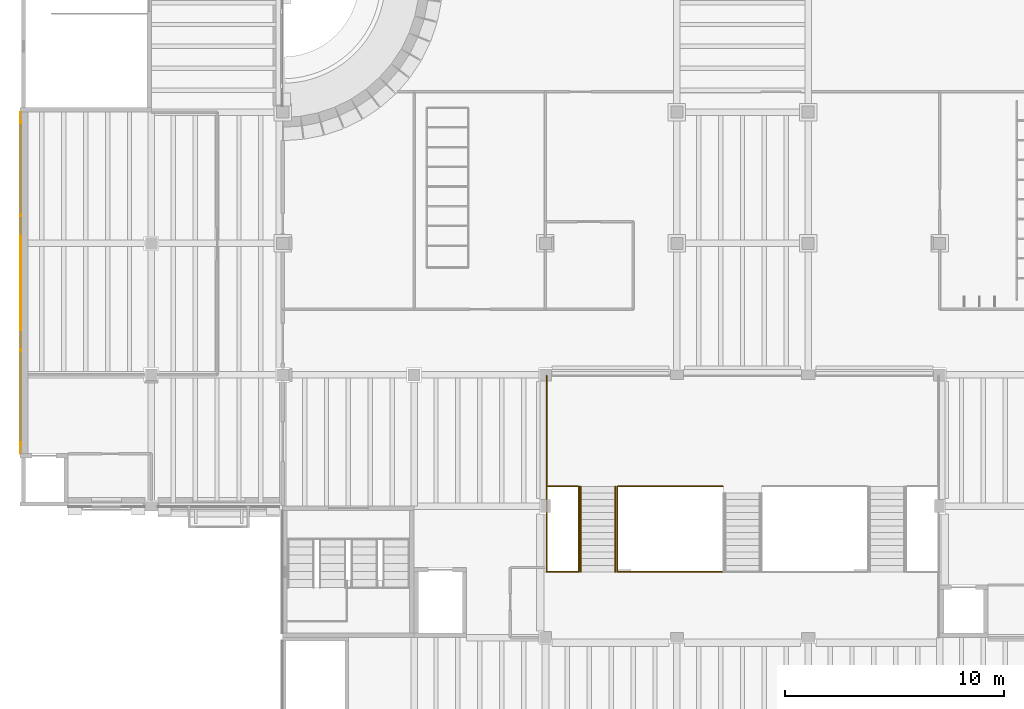
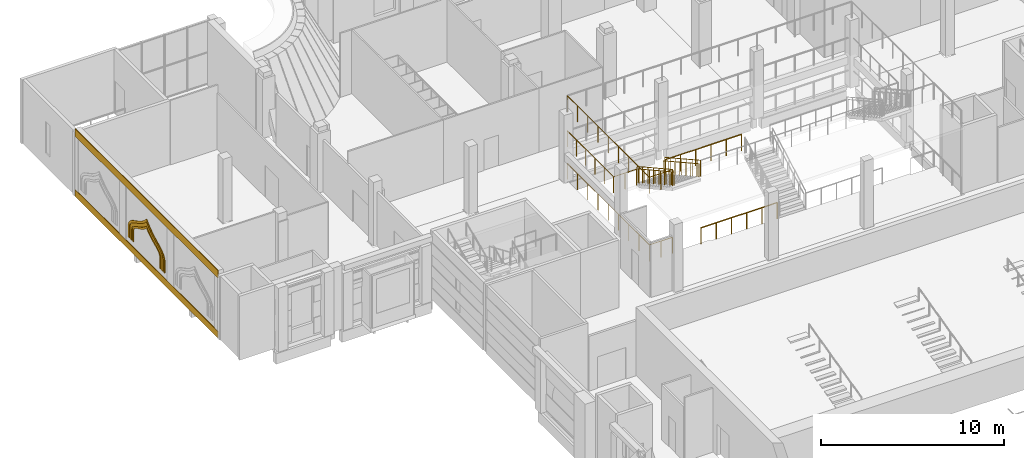
# One storey, part 65 of 70: 12 railings, 5 coverings.
"""IFC4 building model written with IfcOpenShell, lengths in metres."""

from ifc_helpers import new_model, si_unit, direction, frame, origin, origin_2d, place, context, subcontext, project, spatial, polyline, rectangle, circle, outline, extrude, material, layer, layer_set, type_object, element, save


model = new_model("IFC4")

# Units and contexts
model_context = context("Model", 3, precision=1e-05, world=origin(), true_north=direction((0.0, 1.0)))
body_context = subcontext(model_context, "Body", "Model", "MODEL_VIEW")
ifc_project = project(units=[si_unit("LENGTHUNIT", "METRE"), si_unit("AREAUNIT", "SQUARE_METRE"), si_unit("VOLUMEUNIT", "CUBIC_METRE"), si_unit("PLANEANGLEUNIT", "RADIAN"), si_unit("MASSUNIT", "GRAM", prefix="KILO")], contexts=[model_context])

# Site, building, storey
site_placement = place(None, origin())
site = spatial("IfcSite", under=ifc_project, at=site_placement, CompositionType="ELEMENT")
building_placement = place(site_placement, origin())
building = spatial("IfcBuilding", under=site, at=building_placement, Name="Saffron Lane Theatres", CompositionType="ELEMENT")
storey_placement = place(building_placement, frame((0.0, 0.0, 12.0)))
storey = spatial("IfcBuildingStorey", under=building, at=storey_placement, Name="L02", CompositionType="ELEMENT", Elevation=12.0)

# Coverings
ifc_material_1 = material(Name="Face brick cladding, pale buff", Category="masonry")
ifc_layer_1 = layer(ifc_material_1, 0.0400390625)
ifc_layer_set_1 = layer_set([ifc_layer_1], Name="Face brick cladding, pale buff")
covering_type_1 = type_object("IfcCoveringType", Name="EX-FACE BRICK SKIN PALE BUFF 40", PredefinedType="CLADDING", material=ifc_layer_set_1)
covering_1_placement = place(storey_placement, frame((0.0400390625, 112.199951171875, 0.0), z_axis=(0.0, 0.0, 1.0), x_axis=(0.0, 1.0, 0.0)))
element("IfcCovering", 1, at=covering_1_placement, inside=storey, type_object=covering_type_1, Name="Face brick cladding, pale buff L02", PredefinedType="CLADDING", context=body_context, shape_type="SweptSolid", body=[
    extrude(rectangle(XDim=15.60009765625, YDim=0.0400390625, at=origin_2d()), origin(), (0.0, 0.0, 1.0), 0.449951171875),
])
covering_2_placement = place(storey_placement, frame((0.0400390625, 112.199951171875, 4.0), z_axis=(0.0, 0.0, 1.0), x_axis=(0.0, 1.0, 0.0)))
element("IfcCovering", 2, at=covering_2_placement, inside=storey, type_object=covering_type_1, Name="Face brick cladding, pale buff L02", PredefinedType="CLADDING", context=body_context, shape_type="SweptSolid", body=[
    extrude(rectangle(XDim=15.60009765625, YDim=0.0400390625, at=origin_2d()), origin(), (0.0, 0.0, 1.0), 0.5),
])
ifc_material_2 = material(Name="Face brick cladding, pale buff", Category="masonry")
ifc_layer_2 = layer(ifc_material_2, 0.0400390625)
ifc_layer_set_2 = layer_set([ifc_layer_2], Name="Face brick cladding, pale buff")
covering_type_2 = type_object("IfcCoveringType", Name="EX-NICHE FRAME RING FACE BRICK PALE BUFF", PredefinedType="CLADDING", material=ifc_layer_set_2)
covering_3_placement = place(storey_placement, frame((0.06005859375, 110.669921875, 1.626953125), z_axis=(1.0, 0.0, 0.0), x_axis=(0.0, -0.100719773336, -0.994914834174)))
element("IfcCovering", 3, at=covering_3_placement, inside=storey, type_object=covering_type_2, Name="Court wall niche ring", PredefinedType="CLADDING", context=body_context, shape_type="SweptSolid", body=[
    extrude(outline(polyline([(0.0, 0.0), (0.09938232874686968, 0.0), (0.8237075327279083, 0.07332674904499405), (0.8116093568291366, 0.1928331207279823), (0.09335663108402224, 0.1201211163932917), (0.013845850128844059, 0.1201696962191791), (-0.05404835492987823, 0.13636297151497695), (-0.11644464315020871, 0.16611841474647399), (-0.17526461653391537, 0.21144998955971792), (-0.23366596376367882, 0.272038028705351), (-0.29237438347312555, 0.34535518173535484), (-0.35012620043824644, 0.43103859933291644), (-0.41019905352909836, 0.5275295288130809), (-0.47407192855603086, 0.6324697494920305), (-0.541840185918008, 0.7443772768047314), (-0.6169997738261116, 0.8614258691483797), (-0.6984807366089452, 0.9827422891588762), (-0.7913563674415887, 1.1051136710673468), (-0.8942646319463841, 1.227205569039231), (-1.0109443774638502, 1.347167151683312), (-1.0992247166181084, 1.4265699774698515), (-1.0285752557553527, 1.521325827489618), (-0.9383787123577587, 1.6629666072491514), (-0.8620520091264839, 1.80344866819863), (-0.795561221260064, 1.9417080521760257), (-0.7400716648288599, 2.0771360119804045), (-0.6898953019474879, 2.2068729351447156), (-0.6459053699800478, 2.329848865997563), (-0.6043846126197483, 2.445703953976817), (-0.5648688226414432, 2.552276696705958), (-0.5254363980433648, 2.6475531305389377), (-0.48263757143657104, 2.731391714254652), (-0.437539299737774, 2.802212104134419), (-0.3889978579103408, 2.8584123654258278), (-0.3338555572715909, 2.900312165378236), (-0.2705842324343504, 2.929783926416588), (-0.19269637751437335, 2.945766689133541), (0.525556348230741, 3.0184786934682313), (0.5134827621203815, 3.1377421660217824), (-0.2108424418606571, 3.064415416976788), (-0.30820840795773147, 3.044497688362957), (-0.3965601174734784, 3.0034075521753385), (-0.4711901253043157, 2.945547780041579), (-0.5341183926056601, 2.873903932125474), (-0.5870973916150787, 2.7912432592497947), (-0.6340872777687997, 2.697901022188258), (-0.6770342428570031, 2.596134083716348), (-0.7172265518921104, 2.4865481922803143), (-0.7586489500987613, 2.3697215077833125), (-0.8024943420904131, 2.247741763236625), (-0.8510225893972349, 2.1211163479328548), (-0.9060569348673462, 1.9908876290003008), (-0.9691531324310172, 1.8578796642262385), (-1.041965295172167, 1.7238881079156905), (-1.1267778744093768, 1.5896632484906956), (-1.2605097385642552, 1.4102423579641923), (-1.0935324804761668, 1.261263625491915), (-0.9835399579049282, 1.1467597763734545), (-0.8853511335224526, 1.0300794311050514), (-0.7968782743174556, 0.9124154943001628), (-0.7168607038206126, 0.7958586977247573), (-0.6439639761973627, 0.6817710757564924), (-0.576536977118471, 0.5708105551731273), (-0.5125657429378899, 0.4648987379764298), (-0.45122621586834444, 0.3655913780966703), (-0.3887303689924917, 0.27425350866619086), (-0.32401124539361953, 0.19246547340367398), (-0.25551608989614205, 0.12185679560462648), (-0.17950605515954066, 0.06427830666026431), (-0.09479423407972695, 0.02254943572486697), (0.0, 0.0)])), origin(), (0.0, 0.0, -1.0), 0.0400390625),
])
covering_4_placement = place(storey_placement, frame((0.06005859375, 110.412109375, 1.653076171875), z_axis=(1.0, 0.0, 0.0), x_axis=(0.0, -0.098721733967, -0.995115078392)))
element("IfcCovering", 4, at=covering_4_placement, inside=storey, type_object=covering_type_2, Name="Court wall niche ring", PredefinedType="CLADDING", context=body_context, shape_type="SweptSolid", body=[
    extrude(outline(polyline([(0.0, 0.0), (0.12365089995306991, 0.0), (0.850065471337616, 0.07206493763735576), (0.8303018429554648, 0.2712823117294386), (0.11384814027552298, 0.20020555551119043), (0.02236085837539571, 0.19996164341457168), (-0.052666695360416155, 0.21680700335219732), (-0.121147185664853, 0.2492675578705889), (-0.18730713677339533, 0.297905365279346), (-0.25427884276475576, 0.3646177339031553), (-0.3205342377371924, 0.4463668494477651), (-0.3895951038604612, 0.5440300241974563), (-0.4595940192723072, 0.6536217537750671), (-0.5348317423245732, 0.7739793583840674), (-0.6160390452276819, 0.9025769499092747), (-0.7037519561465351, 1.0373986382557099), (-0.8020523874016214, 1.1775487936298594), (-0.9125223933429465, 1.3191903798872864), (-1.0362321021414462, 1.4607451989957185), (-1.1757334320570014, 1.6007333890250777), (-1.2581034147566406, 1.671806288925593), (-1.1913274168902352, 1.7579207561440748), (-1.0820258752220402, 1.9223464316481056), (-0.9885400566567324, 2.085448426090249), (-0.9080770230761124, 2.2462771212287285), (-0.8392051165217655, 2.402766494838034), (-0.7797156310120575, 2.5524369346157805), (-0.7253579403256759, 2.6944834342351833), (-0.6752103845244091, 2.827034715516254), (-0.62810835565286, 2.948243602264837), (-0.5795823814583629, 3.0575721381571634), (-0.5307045182707201, 3.1509885430032756), (-0.4781457998068308, 3.229559088656375), (-0.42283174232263965, 3.2902478889810785), (-0.3620638874844081, 3.3355306999620358), (-0.29178442495747886, 3.3665460994099474), (-0.2020565880230797, 3.384525216761105), (0.5143971146568622, 3.4556019729793532), (0.494657588260543, 3.6545763990542506), (-0.23175698312400306, 3.582511461416895), (-0.35302178647971566, 3.558459607715534), (-0.46369039278429547, 3.50920768170778), (-0.5570306353551786, 3.4386129652061697), (-0.6360745440100168, 3.3525081387820204), (-0.7025449286960739, 3.2534210187093815), (-0.760156387469761, 3.1441725014100164), (-0.8126495485321874, 3.0253728491651897), (-0.8624278619105098, 2.8989916762570833), (-0.9124549077826172, 2.765225654890085), (-0.9658147762555584, 2.625486197354511), (-1.023746309401093, 2.4798957417383867), (-1.0895264132129248, 2.3318092844695117), (-1.164807519839688, 2.180572215612692), (-1.2521396193823973, 2.027158255395536), (-1.3535125717913332, 1.8743140661234456), (-1.5328776221934035, 1.6445469429497235), (-1.3118643402738246, 1.4544998924269588), (-1.1824366763565668, 1.3245525896951655), (-1.0666642335322258, 1.1912878896334709), (-0.9631597014963174, 1.0580328303661086), (-0.8695418040486509, 0.9255143277857693), (-0.7842545169839193, 0.7953587838963885), (-0.7044547700533931, 0.6685842665795054), (-0.6290483331003038, 0.5465260258502069), (-0.555384951762577, 0.4321457137275158), (-0.48057335181981886, 0.32597550205860026), (-0.4026198170040154, 0.23017589285343093), (-0.31800063698654396, 0.14632315598541365), (-0.22355555938512695, 0.07718419942804952), (-0.11816432389829812, 0.026304907336926444), (0.0, 0.0)])), origin(), (0.0, 0.0, -1.0), 0.0400390625),
])
covering_5_placement = place(storey_placement, frame((0.06005859375, 110.212890625, 1.6640625), z_axis=(1.0, 0.0, 0.0), x_axis=(0.0, -0.094724749708, -0.995503501648)))
element("IfcCovering", 5, at=covering_5_placement, inside=storey, type_object=covering_type_2, Name="Court wall niche ring", PredefinedType="CLADDING", context=body_context, shape_type="SweptSolid", body=[
    extrude(outline(polyline([(0.0, 0.0), (0.13660055228326948, -1.734723475976807e-18), (0.8613543222816443, 0.06896220791726007), (0.8480799066731577, 0.20846880214229938), (0.12940220785183154, 0.14008474821495598), (0.014860521082710902, 0.14022175980200036), (-0.08262016870094432, 0.16209212529830466), (-0.17182431140479626, 0.20265279117505466), (-0.2560502209984903, 0.2630613744399854), (-0.33686044045401997, 0.3416977348934284), (-0.41646548155471963, 0.4385967799460958), (-0.4972613017033307, 0.5505876076774407), (-0.5796877342748237, 0.6771378800741059), (-0.6669741511026879, 0.8135259334946665), (-0.7593404688744085, 0.9594855989324436), (-0.8612194924077694, 1.112633136578445), (-0.9744979672517515, 1.2696008539842354), (-1.1002060983649908, 1.428328777575176), (-1.2428691952036584, 1.587405338930602), (-1.402475912859272, 1.7441339405730159), (-1.5281190289200606, 1.8506312145435675), (-1.4248389091892488, 1.9791563737012616), (-1.297631941128565, 2.16293080082066), (-1.1875304770020043, 2.346058568156619), (-1.0940370862069217, 2.525889330550835), (-1.0123951976911796, 2.7014042279531525), (-0.9412045879425954, 2.8707745483848983), (-0.8780234835818681, 3.031534955964542), (-0.8181184397164573, 3.1829096334890106), (-0.7609688995841211, 3.3220051929529166), (-0.70272108504226, 3.446981141126473), (-0.6428195319179204, 3.557154601787627), (-0.578290128818444, 3.6496204056798764), (-0.50696861627969, 3.724829731086674), (-0.42703806357410135, 3.7817292468897863), (-0.3354314183279995, 3.8215917645522968), (-0.2229710859225789, 3.843328609202628), (0.49570661289874723, 3.9117126631299715), (0.4824553234498572, 4.050976214507929), (-0.24229844654851768, 3.982014006590669), (-0.37644762591454045, 3.956251464799982), (-0.49709287344664554, 3.904551844165049), (-0.5995234340692552, 3.8315325224377927), (-0.6870838740712082, 3.7388372023201115), (-0.7624241022681755, 3.6311186053172757), (-0.8281826825673464, 3.510332855457055), (-0.8888268908545827, 3.3770358532550375), (-0.9486154312367424, 3.234746265710988), (-1.0074557990754387, 3.0824919214365782), (-1.0718172102608639, 2.9238263948422856), (-1.1414103696267426, 2.758286726393542), (-1.2196492219407031, 2.5882457473334926), (-1.3104687050752506, 2.4138195248027547), (-1.415477177978938, 2.239024156403737), (-1.5372787334908762, 2.0628761258396318), (-1.7232824351268665, 1.8320609083874442), (-1.4971085942714661, 1.640710700458285), (-1.3442486064212045, 1.4904521873913312), (-1.2081585750195971, 1.3385979693122074), (-1.086095650269953, 1.1846733054352314), (-0.9771683841712157, 1.0321964264175332), (-0.8776268481276537, 0.8829956078951515), (-0.7844733682443785, 0.7390727898724168), (-0.6979741135280688, 0.600647889036814), (-0.6124230313552224, 0.4721877449315711), (-0.5277276170874526, 0.35272018616836043), (-0.440369203724995, 0.2465039168540398), (-0.3460655246587611, 0.154927379249677), (-0.2426867914926881, 0.08138139196330402), (-0.12823062787981174, 0.02801843320794645), (0.0, 0.0)])), origin(), (0.0, 0.0, -1.0), 0.0400390625),
])

# Railings
ifc_material_3 = material(Name="Steel Grade 350", Category="steel")
railing_type_1 = type_object("IfcRailingType", Name="VC-GUARD 1100", PredefinedType="GUARDRAIL", material=ifc_material_3)
railing_1_placement = place(storey_placement, frame((25.530029296875, 102.89990234375, 2.333251953125)))
element("IfcRailing", 6, at=railing_1_placement, inside=storey, type_object=railing_type_1, Name="Grand Stair flight guard 3.2a", PredefinedType="GUARDRAIL", context=body_context, shape_type="SweptSolid", body=[
    extrude(circle(Radius=0.02392578125, at=origin_2d()), frame((0.0, 0.0, 1.076171875), z_axis=(0.0, -0.874006220275, 0.485914732151), x_axis=(1.0, 0.0, 0.0)), (0.0, 0.0, 1.0), 0.686279296875),
    extrude(circle(Radius=0.02392578125, at=origin_2d()), frame((0.0, -0.599853515625, 1.40966796875), z_axis=(0.0, -0.874241147926, 0.485491931212), x_axis=(1.0, 0.0, 0.0)), (0.0, 0.0, 1.0), 0.6865234375),
    extrude(circle(Radius=0.02392578125, at=origin_2d()), frame((0.0, -1.199951171875, 1.74267578125), z_axis=(0.0, -0.874157276122, 0.485642931179), x_axis=(1.0, 0.0, 0.0)), (0.0, 0.0, 1.0), 0.686279296875),
    extrude(circle(Radius=0.02392578125, at=origin_2d()), frame((0.0, -1.7998046875, 2.076171875), z_axis=(0.0, -0.874090171491, 0.485763699861), x_axis=(1.0, 0.0, 0.0)), (0.0, 0.0, 1.0), 0.6865234375),
    extrude(circle(Radius=0.02392578125, at=origin_2d()), frame((0.0, -2.39990234375, 2.40966796875), z_axis=(0.0, -0.874241147926, 0.485491931212), x_axis=(1.0, 0.0, 0.0)), (0.0, 0.0, 1.0), 0.6865234375),
    extrude(circle(Radius=0.02392578125, at=origin_2d()), frame((0.0, -3.0, 2.74267578125), z_axis=(0.0, -0.874157276122, 0.485642931179), x_axis=(1.0, 0.0, 0.0)), (0.0, 0.0, 1.0), 0.686279296875),
    extrude(circle(Radius=0.02392578125, at=origin_2d()), frame((0.0, -3.599853515625, 3.076171875), z_axis=(0.0, -0.874090171491, 0.485763699861), x_axis=(1.0, 0.0, 0.0)), (0.0, 0.0, 1.0), 0.34326171875),
    extrude(circle(Radius=0.02099609375, at=origin_2d()), origin(), (0.0, 0.0, 1.0), 1.052001953125),
    extrude(circle(Radius=0.02099609375, at=origin_2d()), frame((0.0, -0.599853515625, 0.33349609375)), (0.0, 0.0, 1.0), 1.052001953125),
    extrude(circle(Radius=0.02099609375, at=origin_2d()), frame((0.0, -1.199951171875, 0.666748046875)), (0.0, 0.0, 1.0), 1.052001953125),
    extrude(circle(Radius=0.02099609375, at=origin_2d()), frame((0.0, -1.7998046875, 1.0)), (0.0, 0.0, 1.0), 1.052001953125),
    extrude(circle(Radius=0.02099609375, at=origin_2d()), frame((0.0, -2.39990234375, 1.33349609375)), (0.0, 0.0, 1.0), 1.052001953125),
    extrude(circle(Radius=0.02099609375, at=origin_2d()), frame((0.0, -3.0, 1.666748046875)), (0.0, 0.0, 1.0), 1.052001953125),
    extrude(circle(Radius=0.02099609375, at=origin_2d()), frame((0.0, -3.599853515625, 2.0)), (0.0, 0.0, 1.0), 1.052001953125),
    extrude(circle(Radius=0.02099609375, at=origin_2d()), frame((0.0, -3.89990234375, 2.166748046875)), (0.0, 0.0, 1.0), 1.052001953125),
])
railing_2_placement = place(storey_placement, frame((27.27001953125, 102.89990234375, 2.333251953125)))
element("IfcRailing", 7, at=railing_2_placement, inside=storey, type_object=railing_type_1, Name="Grand Stair flight guard 3.2b", PredefinedType="GUARDRAIL", context=body_context, shape_type="SweptSolid", body=[
    extrude(circle(Radius=0.02392578125, at=origin_2d()), frame((0.0, 0.0, 1.076171875), z_axis=(0.0, -0.874006220275, 0.485914732151), x_axis=(1.0, 0.0, 0.0)), (0.0, 0.0, 1.0), 0.686279296875),
    extrude(circle(Radius=0.02392578125, at=origin_2d()), frame((0.0, -0.599853515625, 1.40966796875), z_axis=(0.0, -0.874241147926, 0.485491931212), x_axis=(1.0, 0.0, 0.0)), (0.0, 0.0, 1.0), 0.6865234375),
    extrude(circle(Radius=0.02392578125, at=origin_2d()), frame((0.0, -1.199951171875, 1.74267578125), z_axis=(0.0, -0.874157276122, 0.485642931179), x_axis=(1.0, 0.0, 0.0)), (0.0, 0.0, 1.0), 0.686279296875),
    extrude(circle(Radius=0.02392578125, at=origin_2d()), frame((0.0, -1.7998046875, 2.076171875), z_axis=(0.0, -0.874090171491, 0.485763699861), x_axis=(1.0, 0.0, 0.0)), (0.0, 0.0, 1.0), 0.6865234375),
    extrude(circle(Radius=0.02392578125, at=origin_2d()), frame((0.0, -2.39990234375, 2.40966796875), z_axis=(0.0, -0.874241147926, 0.485491931212), x_axis=(1.0, 0.0, 0.0)), (0.0, 0.0, 1.0), 0.6865234375),
    extrude(circle(Radius=0.02392578125, at=origin_2d()), frame((0.0, -3.0, 2.74267578125), z_axis=(0.0, -0.874157276122, 0.485642931179), x_axis=(1.0, 0.0, 0.0)), (0.0, 0.0, 1.0), 0.686279296875),
    extrude(circle(Radius=0.02392578125, at=origin_2d()), frame((0.0, -3.599853515625, 3.076171875), z_axis=(0.0, -0.874090171491, 0.485763699861), x_axis=(1.0, 0.0, 0.0)), (0.0, 0.0, 1.0), 0.34326171875),
    extrude(circle(Radius=0.02099609375, at=origin_2d()), origin(), (0.0, 0.0, 1.0), 1.052001953125),
    extrude(circle(Radius=0.02099609375, at=origin_2d()), frame((0.0, -0.599853515625, 0.33349609375)), (0.0, 0.0, 1.0), 1.052001953125),
    extrude(circle(Radius=0.02099609375, at=origin_2d()), frame((0.0, -1.199951171875, 0.666748046875)), (0.0, 0.0, 1.0), 1.052001953125),
    extrude(circle(Radius=0.02099609375, at=origin_2d()), frame((0.0, -1.7998046875, 1.0)), (0.0, 0.0, 1.0), 1.052001953125),
    extrude(circle(Radius=0.02099609375, at=origin_2d()), frame((0.0, -2.39990234375, 1.33349609375)), (0.0, 0.0, 1.0), 1.052001953125),
    extrude(circle(Radius=0.02099609375, at=origin_2d()), frame((0.0, -3.0, 1.666748046875)), (0.0, 0.0, 1.0), 1.052001953125),
    extrude(circle(Radius=0.02099609375, at=origin_2d()), frame((0.0, -3.599853515625, 2.0)), (0.0, 0.0, 1.0), 1.052001953125),
    extrude(circle(Radius=0.02099609375, at=origin_2d()), frame((0.0, -3.89990234375, 2.166748046875)), (0.0, 0.0, 1.0), 1.052001953125),
])
railing_3_placement = place(storey_placement, frame((24.050048828125, 102.89990234375, 2.166748046875)))
element("IfcRailing", 8, at=railing_3_placement, inside=storey, type_object=railing_type_1, Name="Grand Stair landing guard 3m-west", PredefinedType="GUARDRAIL", context=body_context, shape_type="SweptSolid", body=[
    extrude(circle(Radius=0.02392578125, at=origin_2d()), frame((0.0, 0.0, 1.076171875), z_axis=(0.0, 1.0, 0.0), x_axis=(-1.0, 0.0, 0.0)), (0.0, 0.0, 1.0), 5.050048828125),
    extrude(circle(Radius=0.02099609375, at=origin_2d()), origin(), (0.0, 0.0, 1.0), 1.052001953125),
    extrude(circle(Radius=0.02099609375, at=origin_2d()), frame((0.0, 1.010009765625, 0.0)), (0.0, 0.0, 1.0), 1.052001953125),
    extrude(circle(Radius=0.02099609375, at=origin_2d()), frame((0.0, 2.02001953125, 0.0)), (0.0, 0.0, 1.0), 1.052001953125),
    extrude(circle(Radius=0.02099609375, at=origin_2d()), frame((0.0, 3.030029296875, 0.0)), (0.0, 0.0, 1.0), 1.052001953125),
    extrude(circle(Radius=0.02099609375, at=origin_2d()), frame((0.0, 4.0400390625, 0.0)), (0.0, 0.0, 1.0), 1.052001953125),
    extrude(circle(Radius=0.02099609375, at=origin_2d()), frame((0.0, 5.050048828125, 0.0)), (0.0, 0.0, 1.0), 1.052001953125),
])
railing_4_placement = place(storey_placement, frame((24.050048828125, 102.89990234375, 2.166748046875)))
element("IfcRailing", 9, at=railing_4_placement, inside=storey, type_object=railing_type_1, Name="Grand Stair landing guard 3m-gap1", PredefinedType="GUARDRAIL", context=body_context, shape_type="SweptSolid", body=[
    extrude(circle(Radius=0.02392578125, at=origin_2d()), frame((0.0, 0.0, 1.076171875), z_axis=(1.0, 0.0, 0.0), x_axis=(0.0, 1.0, 0.0)), (0.0, 0.0, 1.0), 1.449951171875),
    extrude(circle(Radius=0.02099609375, at=origin_2d()), origin(), (0.0, 0.0, 1.0), 1.052001953125),
    extrude(circle(Radius=0.02099609375, at=origin_2d()), frame((0.72509765625, 0.0, 0.0)), (0.0, 0.0, 1.0), 1.052001953125),
    extrude(circle(Radius=0.02099609375, at=origin_2d()), frame((1.449951171875, 0.0, 0.0)), (0.0, 0.0, 1.0), 1.052001953125),
])
railing_5_placement = place(storey_placement, frame((27.300048828125, 102.89990234375, 2.166748046875)))
element("IfcRailing", 10, at=railing_5_placement, inside=storey, type_object=railing_type_1, Name="Grand Stair landing guard 3m-gap2", PredefinedType="GUARDRAIL", context=body_context, shape_type="SweptSolid", body=[
    extrude(circle(Radius=0.02392578125, at=origin_2d()), frame((0.0, 0.0, 1.076171875), z_axis=(1.0, 0.0, 0.0), x_axis=(0.0, 1.0, 0.0)), (0.0, 0.0, 1.0), 4.800048828125),
    extrude(circle(Radius=0.02099609375, at=origin_2d()), origin(), (0.0, 0.0, 1.0), 1.052001953125),
    extrude(circle(Radius=0.02099609375, at=origin_2d()), frame((0.9599609375, 0.0, 0.0)), (0.0, 0.0, 1.0), 1.052001953125),
    extrude(circle(Radius=0.02099609375, at=origin_2d()), frame((1.919921875, 0.0, 0.0)), (0.0, 0.0, 1.0), 1.052001953125),
    extrude(circle(Radius=0.02099609375, at=origin_2d()), frame((2.880126953125, 0.0, 0.0)), (0.0, 0.0, 1.0), 1.052001953125),
    extrude(circle(Radius=0.02099609375, at=origin_2d()), frame((3.840087890625, 0.0, 0.0)), (0.0, 0.0, 1.0), 1.052001953125),
    extrude(circle(Radius=0.02099609375, at=origin_2d()), frame((4.800048828125, 0.0, 0.0)), (0.0, 0.0, 1.0), 1.052001953125),
])
railing_6_placement = place(storey_placement, frame((24.050048828125, 99.0, 0.0)))
element("IfcRailing", 11, at=railing_6_placement, inside=storey, type_object=railing_type_1, Name="Grand Stair landing guard 3s-L02-1", PredefinedType="GUARDRAIL", context=body_context, shape_type="SweptSolid", body=[
    extrude(circle(Radius=0.02392578125, at=origin_2d()), frame((0.0, 0.0, 1.076171875), z_axis=(1.0, 0.0, 0.0), x_axis=(0.0, 1.0, 0.0)), (0.0, 0.0, 1.0), 1.449951171875),
    extrude(circle(Radius=0.02099609375, at=origin_2d()), origin(), (0.0, 0.0, 1.0), 1.052001953125),
    extrude(circle(Radius=0.02099609375, at=origin_2d()), frame((0.72509765625, 0.0, 0.0)), (0.0, 0.0, 1.0), 1.052001953125),
    extrude(circle(Radius=0.02099609375, at=origin_2d()), frame((1.449951171875, 0.0, 0.0)), (0.0, 0.0, 1.0), 1.052001953125),
])
railing_7_placement = place(storey_placement, frame((27.300048828125, 99.0, 0.0)))
element("IfcRailing", 12, at=railing_7_placement, inside=storey, type_object=railing_type_1, Name="Grand Stair landing guard 3s-L02-2", PredefinedType="GUARDRAIL", context=body_context, shape_type="SweptSolid", body=[
    extrude(circle(Radius=0.02392578125, at=origin_2d()), frame((0.0, 0.0, 1.076171875), z_axis=(1.0, 0.0, 0.0), x_axis=(0.0, 1.0, 0.0)), (0.0, 0.0, 1.0), 4.800048828125),
    extrude(circle(Radius=0.02099609375, at=origin_2d()), origin(), (0.0, 0.0, 1.0), 1.052001953125),
    extrude(circle(Radius=0.02099609375, at=origin_2d()), frame((0.9599609375, 0.0, 0.0)), (0.0, 0.0, 1.0), 1.052001953125),
    extrude(circle(Radius=0.02099609375, at=origin_2d()), frame((1.919921875, 0.0, 0.0)), (0.0, 0.0, 1.0), 1.052001953125),
    extrude(circle(Radius=0.02099609375, at=origin_2d()), frame((2.880126953125, 0.0, 0.0)), (0.0, 0.0, 1.0), 1.052001953125),
    extrude(circle(Radius=0.02099609375, at=origin_2d()), frame((3.840087890625, 0.0, 0.0)), (0.0, 0.0, 1.0), 1.052001953125),
    extrude(circle(Radius=0.02099609375, at=origin_2d()), frame((4.800048828125, 0.0, 0.0)), (0.0, 0.0, 1.0), 1.052001953125),
])
railing_8_placement = place(storey_placement, frame((24.050048828125, 99.0, 0.0)))
element("IfcRailing", 13, at=railing_8_placement, inside=storey, type_object=railing_type_1, Name="Grand Stair landing guard 3v-w-L02", PredefinedType="GUARDRAIL", context=body_context, shape_type="SweptSolid", body=[
    extrude(circle(Radius=0.02392578125, at=origin_2d()), frame((0.0, 0.0, 1.076171875), z_axis=(0.0, 1.0, 0.0), x_axis=(-1.0, 0.0, 0.0)), (0.0, 0.0, 1.0), 8.949951171875),
    extrude(circle(Radius=0.02099609375, at=origin_2d()), origin(), (0.0, 0.0, 1.0), 1.052001953125),
    extrude(circle(Radius=0.02099609375, at=origin_2d()), frame((0.0, 1.11865234375, 0.0)), (0.0, 0.0, 1.0), 1.052001953125),
    extrude(circle(Radius=0.02099609375, at=origin_2d()), frame((0.0, 2.237548828125, 0.0)), (0.0, 0.0, 1.0), 1.052001953125),
    extrude(circle(Radius=0.02099609375, at=origin_2d()), frame((0.0, 3.356201171875, 0.0)), (0.0, 0.0, 1.0), 1.052001953125),
    extrude(circle(Radius=0.02099609375, at=origin_2d()), frame((0.0, 4.47509765625, 0.0)), (0.0, 0.0, 1.0), 1.052001953125),
    extrude(circle(Radius=0.02099609375, at=origin_2d()), frame((0.0, 5.59375, 0.0)), (0.0, 0.0, 1.0), 1.052001953125),
    extrude(circle(Radius=0.02099609375, at=origin_2d()), frame((0.0, 6.71240234375, 0.0)), (0.0, 0.0, 1.0), 1.052001953125),
    extrude(circle(Radius=0.02099609375, at=origin_2d()), frame((0.0, 7.831298828125, 0.0)), (0.0, 0.0, 1.0), 1.052001953125),
    extrude(circle(Radius=0.02099609375, at=origin_2d()), frame((0.0, 8.949951171875, 0.0)), (0.0, 0.0, 1.0), 1.052001953125),
])
railing_9_placement = place(storey_placement, frame((24.050048828125, 99.0, 4.5)))
element("IfcRailing", 14, at=railing_9_placement, inside=storey, type_object=railing_type_1, Name="Grand Stair landing guard 3s-L03-1", PredefinedType="GUARDRAIL", context=body_context, shape_type="SweptSolid", body=[
    extrude(circle(Radius=0.02392578125, at=origin_2d()), frame((0.0, 0.0, 1.076171875), z_axis=(1.0, 0.0, 0.0), x_axis=(0.0, 1.0, 0.0)), (0.0, 0.0, 1.0), 1.449951171875),
    extrude(circle(Radius=0.02099609375, at=origin_2d()), origin(), (0.0, 0.0, 1.0), 1.052001953125),
    extrude(circle(Radius=0.02099609375, at=origin_2d()), frame((0.72509765625, 0.0, 0.0)), (0.0, 0.0, 1.0), 1.052001953125),
    extrude(circle(Radius=0.02099609375, at=origin_2d()), frame((1.449951171875, 0.0, 0.0)), (0.0, 0.0, 1.0), 1.052001953125),
])
railing_10_placement = place(storey_placement, frame((24.050048828125, 99.0, 4.5)))
element("IfcRailing", 15, at=railing_10_placement, inside=storey, type_object=railing_type_1, Name="Grand Stair landing guard 3v-w-L03", PredefinedType="GUARDRAIL", context=body_context, shape_type="SweptSolid", body=[
    extrude(circle(Radius=0.02392578125, at=origin_2d()), frame((0.0, 0.0, 1.076171875), z_axis=(0.0, 1.0, 0.0), x_axis=(-1.0, 0.0, 0.0)), (0.0, 0.0, 1.0), 8.949951171875),
    extrude(circle(Radius=0.02099609375, at=origin_2d()), origin(), (0.0, 0.0, 1.0), 1.052001953125),
    extrude(circle(Radius=0.02099609375, at=origin_2d()), frame((0.0, 1.11865234375, 0.0)), (0.0, 0.0, 1.0), 1.052001953125),
    extrude(circle(Radius=0.02099609375, at=origin_2d()), frame((0.0, 2.237548828125, 0.0)), (0.0, 0.0, 1.0), 1.052001953125),
    extrude(circle(Radius=0.02099609375, at=origin_2d()), frame((0.0, 3.356201171875, 0.0)), (0.0, 0.0, 1.0), 1.052001953125),
    extrude(circle(Radius=0.02099609375, at=origin_2d()), frame((0.0, 4.47509765625, 0.0)), (0.0, 0.0, 1.0), 1.052001953125),
    extrude(circle(Radius=0.02099609375, at=origin_2d()), frame((0.0, 5.59375, 0.0)), (0.0, 0.0, 1.0), 1.052001953125),
    extrude(circle(Radius=0.02099609375, at=origin_2d()), frame((0.0, 6.71240234375, 0.0)), (0.0, 0.0, 1.0), 1.052001953125),
    extrude(circle(Radius=0.02099609375, at=origin_2d()), frame((0.0, 7.831298828125, 0.0)), (0.0, 0.0, 1.0), 1.052001953125),
    extrude(circle(Radius=0.02099609375, at=origin_2d()), frame((0.0, 8.949951171875, 0.0)), (0.0, 0.0, 1.0), 1.052001953125),
])
ifc_material_4 = material(Name="Steel Grade 350", Category="steel")
railing_type_2 = type_object("IfcRailingType", Name="VC-HANDRAIL 900", PredefinedType="HANDRAIL", material=ifc_material_4)
railing_11_placement = place(storey_placement, frame((25.6201171875, 102.89990234375, 2.333251953125)))
element("IfcRailing", 16, at=railing_11_placement, inside=storey, type_object=railing_type_2, Name="Grand Stair handrail 3.2a", PredefinedType="HANDRAIL", context=body_context, shape_type="SweptSolid", body=[
    extrude(circle(Radius=0.02392578125, at=origin_2d()), frame((0.0, 0.0, 0.8759765625), z_axis=(0.0, -0.874006220275, 0.485914732151), x_axis=(1.0, 0.0, 0.0)), (0.0, 0.0, 1.0), 0.686279296875),
    extrude(circle(Radius=0.02392578125, at=origin_2d()), frame((0.0, -0.599853515625, 1.20947265625), z_axis=(0.0, -0.874241147926, 0.485491931212), x_axis=(1.0, 0.0, 0.0)), (0.0, 0.0, 1.0), 0.6865234375),
    extrude(circle(Radius=0.02392578125, at=origin_2d()), frame((0.0, -1.199951171875, 1.54248046875), z_axis=(0.0, -0.874157276122, 0.485642931179), x_axis=(1.0, 0.0, 0.0)), (0.0, 0.0, 1.0), 0.686279296875),
    extrude(circle(Radius=0.02392578125, at=origin_2d()), frame((0.0, -1.7998046875, 1.8759765625), z_axis=(0.0, -0.874090171491, 0.485763699861), x_axis=(1.0, 0.0, 0.0)), (0.0, 0.0, 1.0), 0.6865234375),
    extrude(circle(Radius=0.02392578125, at=origin_2d()), frame((0.0, -2.39990234375, 2.20947265625), z_axis=(0.0, -0.874241147926, 0.485491931212), x_axis=(1.0, 0.0, 0.0)), (0.0, 0.0, 1.0), 0.6865234375),
    extrude(circle(Radius=0.02392578125, at=origin_2d()), frame((0.0, -3.0, 2.54248046875), z_axis=(0.0, -0.874157276122, 0.485642931179), x_axis=(1.0, 0.0, 0.0)), (0.0, 0.0, 1.0), 0.686279296875),
    extrude(circle(Radius=0.02392578125, at=origin_2d()), frame((0.0, -3.599853515625, 2.8759765625), z_axis=(0.0, -0.874090171491, 0.485763699861), x_axis=(1.0, 0.0, 0.0)), (0.0, 0.0, 1.0), 0.34326171875),
    extrude(circle(Radius=0.02099609375, at=origin_2d()), origin(), (0.0, 0.0, 1.0), 0.851806640625),
    extrude(circle(Radius=0.02099609375, at=origin_2d()), frame((0.0, -0.599853515625, 0.33349609375)), (0.0, 0.0, 1.0), 0.851806640625),
    extrude(circle(Radius=0.02099609375, at=origin_2d()), frame((0.0, -1.199951171875, 0.666748046875)), (0.0, 0.0, 1.0), 0.851806640625),
    extrude(circle(Radius=0.02099609375, at=origin_2d()), frame((0.0, -1.7998046875, 1.0)), (0.0, 0.0, 1.0), 0.851806640625),
    extrude(circle(Radius=0.02099609375, at=origin_2d()), frame((0.0, -2.39990234375, 1.33349609375)), (0.0, 0.0, 1.0), 0.851806640625),
    extrude(circle(Radius=0.02099609375, at=origin_2d()), frame((0.0, -3.0, 1.666748046875)), (0.0, 0.0, 1.0), 0.851806640625),
    extrude(circle(Radius=0.02099609375, at=origin_2d()), frame((0.0, -3.599853515625, 2.0)), (0.0, 0.0, 1.0), 0.851806640625),
    extrude(circle(Radius=0.02099609375, at=origin_2d()), frame((0.0, -3.89990234375, 2.166748046875)), (0.0, 0.0, 1.0), 0.851806640625),
])
railing_12_placement = place(storey_placement, frame((27.179931640625, 102.89990234375, 2.333251953125)))
element("IfcRailing", 17, at=railing_12_placement, inside=storey, type_object=railing_type_2, Name="Grand Stair handrail 3.2b", PredefinedType="HANDRAIL", context=body_context, shape_type="SweptSolid", body=[
    extrude(circle(Radius=0.02392578125, at=origin_2d()), frame((0.0, 0.0, 0.8759765625), z_axis=(0.0, -0.874006220275, 0.485914732151), x_axis=(1.0, 0.0, 0.0)), (0.0, 0.0, 1.0), 0.686279296875),
    extrude(circle(Radius=0.02392578125, at=origin_2d()), frame((0.0, -0.599853515625, 1.20947265625), z_axis=(0.0, -0.874241147926, 0.485491931212), x_axis=(1.0, 0.0, 0.0)), (0.0, 0.0, 1.0), 0.6865234375),
    extrude(circle(Radius=0.02392578125, at=origin_2d()), frame((0.0, -1.199951171875, 1.54248046875), z_axis=(0.0, -0.874157276122, 0.485642931179), x_axis=(1.0, 0.0, 0.0)), (0.0, 0.0, 1.0), 0.686279296875),
    extrude(circle(Radius=0.02392578125, at=origin_2d()), frame((0.0, -1.7998046875, 1.8759765625), z_axis=(0.0, -0.874090171491, 0.485763699861), x_axis=(1.0, 0.0, 0.0)), (0.0, 0.0, 1.0), 0.6865234375),
    extrude(circle(Radius=0.02392578125, at=origin_2d()), frame((0.0, -2.39990234375, 2.20947265625), z_axis=(0.0, -0.874241147926, 0.485491931212), x_axis=(1.0, 0.0, 0.0)), (0.0, 0.0, 1.0), 0.6865234375),
    extrude(circle(Radius=0.02392578125, at=origin_2d()), frame((0.0, -3.0, 2.54248046875), z_axis=(0.0, -0.874157276122, 0.485642931179), x_axis=(1.0, 0.0, 0.0)), (0.0, 0.0, 1.0), 0.686279296875),
    extrude(circle(Radius=0.02392578125, at=origin_2d()), frame((0.0, -3.599853515625, 2.8759765625), z_axis=(0.0, -0.874090171491, 0.485763699861), x_axis=(1.0, 0.0, 0.0)), (0.0, 0.0, 1.0), 0.34326171875),
    extrude(circle(Radius=0.02099609375, at=origin_2d()), origin(), (0.0, 0.0, 1.0), 0.851806640625),
    extrude(circle(Radius=0.02099609375, at=origin_2d()), frame((0.0, -0.599853515625, 0.33349609375)), (0.0, 0.0, 1.0), 0.851806640625),
    extrude(circle(Radius=0.02099609375, at=origin_2d()), frame((0.0, -1.199951171875, 0.666748046875)), (0.0, 0.0, 1.0), 0.851806640625),
    extrude(circle(Radius=0.02099609375, at=origin_2d()), frame((0.0, -1.7998046875, 1.0)), (0.0, 0.0, 1.0), 0.851806640625),
    extrude(circle(Radius=0.02099609375, at=origin_2d()), frame((0.0, -2.39990234375, 1.33349609375)), (0.0, 0.0, 1.0), 0.851806640625),
    extrude(circle(Radius=0.02099609375, at=origin_2d()), frame((0.0, -3.0, 1.666748046875)), (0.0, 0.0, 1.0), 0.851806640625),
    extrude(circle(Radius=0.02099609375, at=origin_2d()), frame((0.0, -3.599853515625, 2.0)), (0.0, 0.0, 1.0), 0.851806640625),
    extrude(circle(Radius=0.02099609375, at=origin_2d()), frame((0.0, -3.89990234375, 2.166748046875)), (0.0, 0.0, 1.0), 0.851806640625),
])

save(model, "model.ifc")
